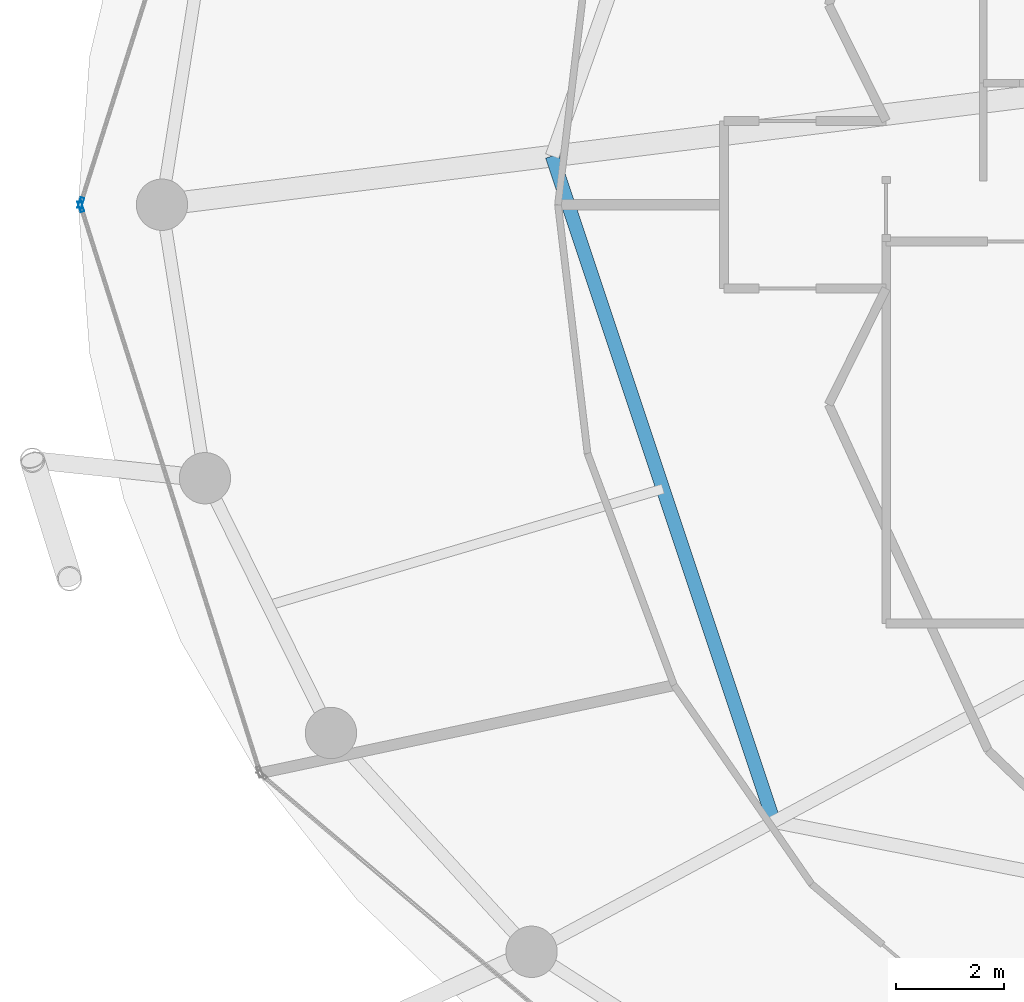
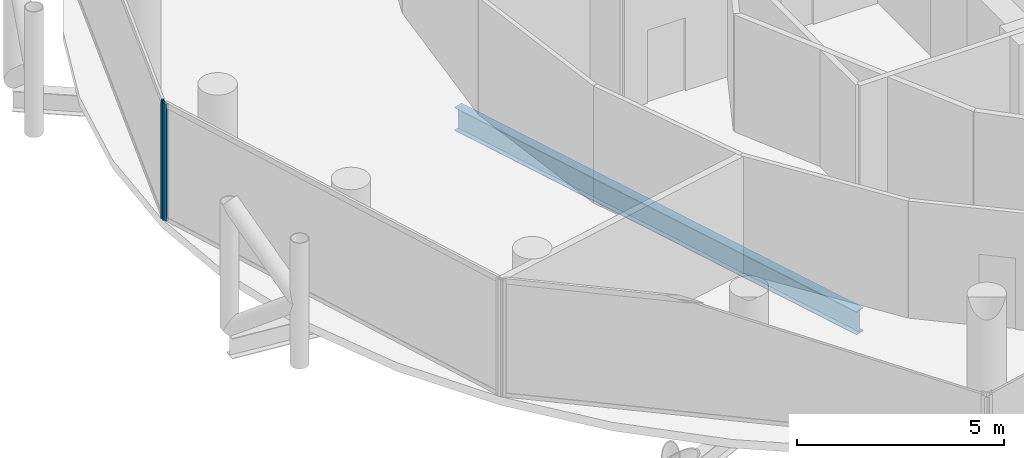
# One storey, part 6 of 26: 2 members, 1 beam, 2 elements without a shape of their own.
"""IFC4 building model written with IfcOpenShell, lengths in metres."""

from ifc_helpers import new_model, si_unit, direction, frame, origin, origin_2d, place, context, subcontext, project, spatial, hollow_rectangle, i_section, extrude, material, layer, layer_set, material_profile, profile_set, type_object, element, aggregate, save


model = new_model("IFC4")

# Units and contexts
model_context = context("Model", 3, precision=1e-05, world=origin(), true_north=direction((0.0, 1.0)))
body_context = subcontext(model_context, "Body", "Model", "MODEL_VIEW")
ifc_project = project(units=[si_unit("LENGTHUNIT", "METRE"), si_unit("AREAUNIT", "SQUARE_METRE"), si_unit("VOLUMEUNIT", "CUBIC_METRE"), si_unit("PLANEANGLEUNIT", "RADIAN"), si_unit("MASSUNIT", "GRAM", prefix="KILO")], contexts=[model_context])

# Site, building, storey
site_placement = place(None, origin())
site = spatial("IfcSite", under=ifc_project, at=site_placement, CompositionType="ELEMENT")
building_placement = place(site_placement, origin())
building = spatial("IfcBuilding", under=site, at=building_placement, Name="Nuhasar Tower", CompositionType="ELEMENT")
storey_placement = place(building_placement, frame((0.0, 0.0, 184.85009765625)))
storey = spatial("IfcBuildingStorey", under=building, at=storey_placement, Name="L45", CompositionType="ELEMENT", Elevation=184.85009765625)

# Beam
ifc_material_1 = material(Name="Steel S355", Category="steel")
ifc_material_profile_1 = material_profile(ifc_material_1, i_section(OverallWidth=0.25390625, OverallDepth=0.68408203125, WebThickness=0.012451171875, FlangeThickness=0.018798828125, at=origin_2d()), Name="W27X94")
ifc_profile_set_1 = profile_set([ifc_material_profile_1], Name="Steel S355")
beam_type = type_object("IfcBeamType", Name="BM-INRING-W27X94", PredefinedType="BEAM", material=ifc_profile_set_1)
beam_placement = place(storey_placement, frame((22.8701171875, 27.699951171875, -0.592041015625), z_axis=(0.31609797573, -0.948726551615, 0.0), x_axis=(0.948726551615, 0.31609797573, 0.0)))
element("IfcBeam", 1, at=beam_placement, inside=storey, type_object=beam_type, Name="L45 Inner Header Beam 08", PredefinedType="BEAM", context=body_context, shape_type="SweptSolid", body=[
    extrude(i_section(OverallWidth=0.25390625, OverallDepth=0.68408203125, WebThickness=0.012451171875, FlangeThickness=0.018798828125, at=origin_2d()), origin(), (0.0, 0.0, 1.0), 12.9794921875),
])

# Curtain wall, member
ifc_material_2 = material(Name="Aluminium 6063-T6", Category="aluminium")
ifc_layer = layer(ifc_material_2, 0.199951171875)
ifc_layer_set = layer_set([ifc_layer], Name="Aluminium 6063-T6")
curtain_wall_type = type_object("IfcCurtainWallType", Name="CW-Z2-HTL", PredefinedType="NOTDEFINED", material=ifc_layer_set)
curtain_wall_1_placement = place(storey_placement, origin())
curtain_wall_1 = element("IfcCurtainWall", 2, at=curtain_wall_1_placement, inside=storey, type_object=curtain_wall_type, Name="L45 Unitised Curtain Wall 06", PredefinedType="NOTDEFINED")
ifc_material_profile_2 = material_profile(ifc_material_2, hollow_rectangle(XDim=0.070068359375, YDim=0.199951171875, WallThickness=0.0048828125, at=origin_2d()), Name="CWM-3")
ifc_profile_set_2 = profile_set([ifc_material_profile_2], Name="Aluminium 6063-T6")
member_type = type_object("IfcMemberType", Name="CW-MUL-S3", PredefinedType="MULLION", material=ifc_profile_set_2)
member_1_placement = place(storey_placement, frame((14.150634765625, 26.833251953125, 0.0), z_axis=(0.0, 0.0, 1.0), x_axis=(0.953433389233, -0.301603667577, 0.0)))
member_1 = element("IfcMember", 3, at=member_1_placement, type_object=member_type, Name="CW-Z2 mullion 2", PredefinedType="MULLION", context=body_context, shape_type="SweptSolid", body=[
    extrude(hollow_rectangle(XDim=0.070068359375, YDim=0.199951171875, WallThickness=0.0048828125, at=origin_2d()), origin(), (0.0, 0.0, 1.0), 3.449951171875),
])
aggregate(curtain_wall_1, [member_1])

curtain_wall_2_placement = place(storey_placement, origin())
curtain_wall_2 = element("IfcCurtainWall", 4, at=curtain_wall_2_placement, inside=storey, type_object=curtain_wall_type, Name="L45 Unitised Curtain Wall 07", PredefinedType="NOTDEFINED")
member_2_placement = place(storey_placement, frame((14.150634765625, 26.7666015625, 0.0), z_axis=(0.0, 0.0, 1.0), x_axis=(0.953433389233, 0.301603667577, 0.0)))
member_2 = element("IfcMember", 5, at=member_2_placement, type_object=member_type, Name="CW-Z2 mullion 1", PredefinedType="MULLION", context=body_context, shape_type="SweptSolid", body=[
    extrude(hollow_rectangle(XDim=0.070068359375, YDim=0.199951171875, WallThickness=0.0048828125, at=origin_2d()), origin(), (0.0, 0.0, 1.0), 3.449951171875),
])
aggregate(curtain_wall_2, [member_2])

save(model, "model.ifc")
